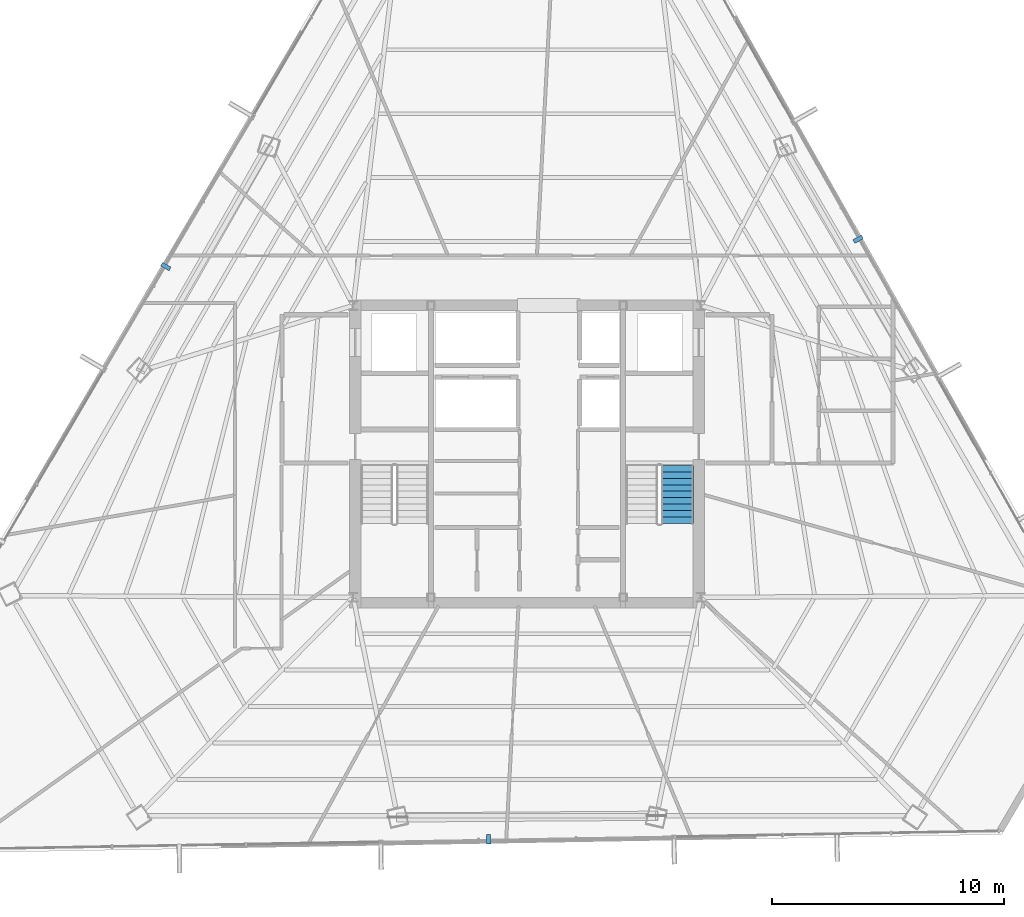
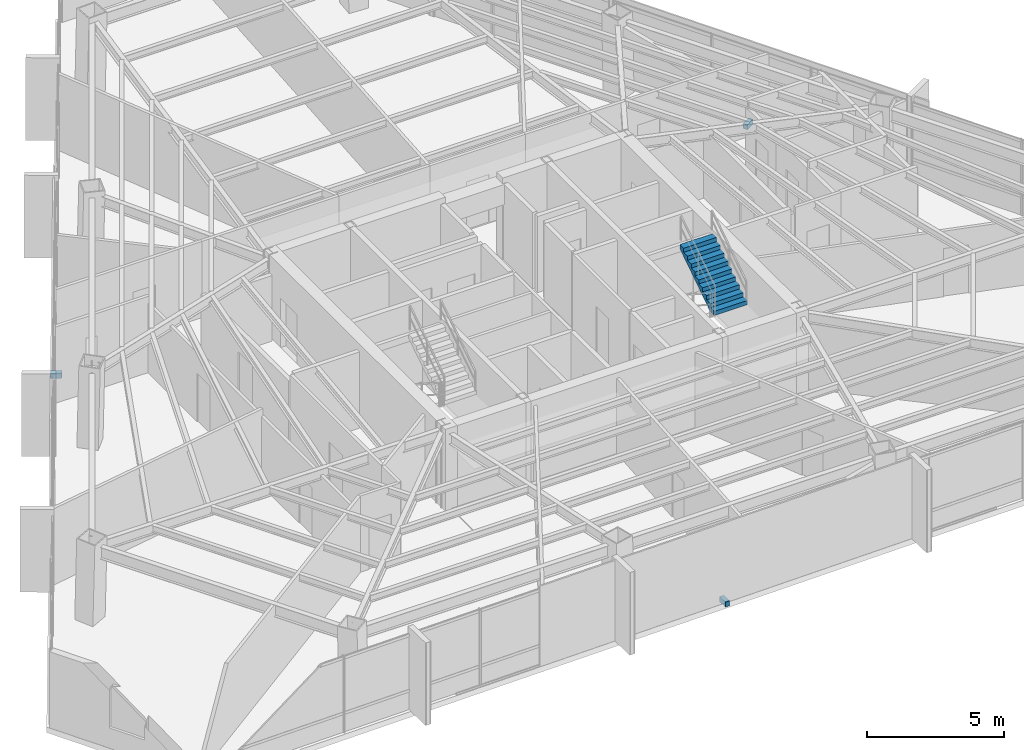
# One storey, part 38 of 42: 3 discrete accessories, 1 stair flight, 1 element without a shape of its own.
"""IFC4 building model written with IfcOpenShell, lengths in metres."""

from ifc_helpers import new_model, si_unit, direction, frame, origin, origin_2d, place, context, subcontext, project, spatial, polyline, rectangle, outline, extrude, source, transform, mapped, material, type_object, type_shapes, element, aggregate, save


model = new_model("IFC4")

# Units and contexts
model_context = context("Model", 3, precision=1e-05, world=origin(), true_north=direction((0.0, 1.0)))
body_context = subcontext(model_context, "Body", "Model", "MODEL_VIEW")
ifc_project = project(units=[si_unit("LENGTHUNIT", "METRE"), si_unit("AREAUNIT", "SQUARE_METRE"), si_unit("VOLUMEUNIT", "CUBIC_METRE"), si_unit("PLANEANGLEUNIT", "RADIAN"), si_unit("MASSUNIT", "GRAM", prefix="KILO")], contexts=[model_context])

# Site, building, storey
site_placement = place(None, origin())
site = spatial("IfcSite", under=ifc_project, at=site_placement, CompositionType="ELEMENT")
building_placement = place(site_placement, origin())
building = spatial("IfcBuilding", under=site, at=building_placement, Name="Caelisora Broadcast Tower", CompositionType="ELEMENT")
storey_placement = place(building_placement, frame((0.0, 0.0, 184.050048828125)))
storey = spatial("IfcBuildingStorey", under=building, at=storey_placement, Name="L48", CompositionType="ELEMENT", Elevation=184.050048828125)

# Stair, stair flight
ifc_material_1 = material(Name="Concrete 40 MPa (AS 3600 N40)", Category="concrete")
stair_type = type_object("IfcStairType", Name="ST-2", PredefinedType="HALF_TURN_STAIR", material=ifc_material_1)
stair_placement = place(storey_placement, origin())
stair = element("IfcStair", 1, at=stair_placement, inside=storey, type_object=stair_type, Name="L48 East Fire-Isolated Tower Stair", PredefinedType="HALF_TURN_STAIR")
stair_flight_type = type_object("IfcStairFlightType", Name="STF-3", PredefinedType="STRAIGHT", material=ifc_material_1)
stair_flight_placement = place(storey_placement, frame((44.47998046875, 20.580078125, 1.824951171875), z_axis=(0.0, 0.0, 1.0), x_axis=(0.0, 1.0, 0.0)))
stair_flight = element("IfcStairFlight", 2, at=stair_flight_placement, type_object=stair_flight_type, Name="ST-2 flight 2", NumberOfRisers=10, NumberOfTreads=9, PredefinedType="STRAIGHT", RiserHeight=0.1825, TreadLength=0.28, context=body_context, shape_type="SweptSolid", body=[
    extrude(outline(polyline([(0.0, 0.0), (0.0, 0.1826171875), (0.280029296875, 0.1826171875), (0.280029296875, 0.364990234375), (0.56005859375, 0.364990234375), (0.56005859375, 0.547607421875), (0.840087890625, 0.547607421875), (0.840087890625, 0.72998046875), (1.1201171875, 0.72998046875), (1.1201171875, 0.91259765625), (1.39990234375, 0.91259765625), (1.39990234375, 1.094970703125), (1.679931640625, 1.094970703125), (1.679931640625, 1.277587890625), (1.9599609375, 1.277587890625), (1.9599609375, 1.4599609375), (2.239990234375, 1.4599609375), (2.239990234375, 1.642578125), (2.52001953125, 1.642578125), (2.52001953125, 1.824951171875), (2.52001953125, 1.463623046875), (0.2744140625, 0.0), (0.0, 0.0)])), frame((0.0, 0.699951171875, 0.0), z_axis=(0.0, -1.0, 0.0), x_axis=(1.0, 0.0, 0.0)), (0.0, 0.0, 1.0), 1.39990234375),
])
aggregate(stair, [stair_flight])

# Discrete accessories
ifc_material_2 = material(Name="Steel Grade 350 (AS/NZS 3679.1)", Category="steel")
discrete_accessory_type = type_object("IfcDiscreteAccessoryType", Name="BRK-1", PredefinedType="BRACKET", material=ifc_material_2)
shared_shape = source(origin(), body_context, "Body", "SweptSolid", [
    extrude(rectangle(XDim=0.179931640625, YDim=0.419921875, at=origin_2d()), origin(), (0.0, 0.0, 1.0), 0.219970703125),
])
type_shapes(discrete_accessory_type, [shared_shape])
for number, where, z_axis, x_axis, name in (
    (3, (22.41015625, 31.680908203125, -0.16015625), (0.0, 0.0, 1.0), (-0.506334807353, -0.862336977557, 0.0), "L48 solar screen outrigger bracket #1"),
    (4, (36.34521484375, 6.952880859375, -0.16015625), (0.0, 0.0, 1.0), (0.999844633908, 0.017626912514, 0.0), "L48 solar screen outrigger bracket #2"),
    (5, (52.297607421875, 32.860595703125, -0.16015625), (0.0, 0.0, 1.0), (-0.491055801632, 0.871128118983, 0.0), "L48 solar screen outrigger bracket #3"),
):
    element("IfcDiscreteAccessory", number, at=place(storey_placement, frame(where, z_axis=z_axis, x_axis=x_axis)), inside=storey, type_object=discrete_accessory_type, Name=name, PredefinedType="BRACKET", context=body_context, shape_type="MappedRepresentation", body=[
        mapped(shared_shape, transform((0.0, 0.0, 0.0), scale=1.0)),
    ])

save(model, "model.ifc")
